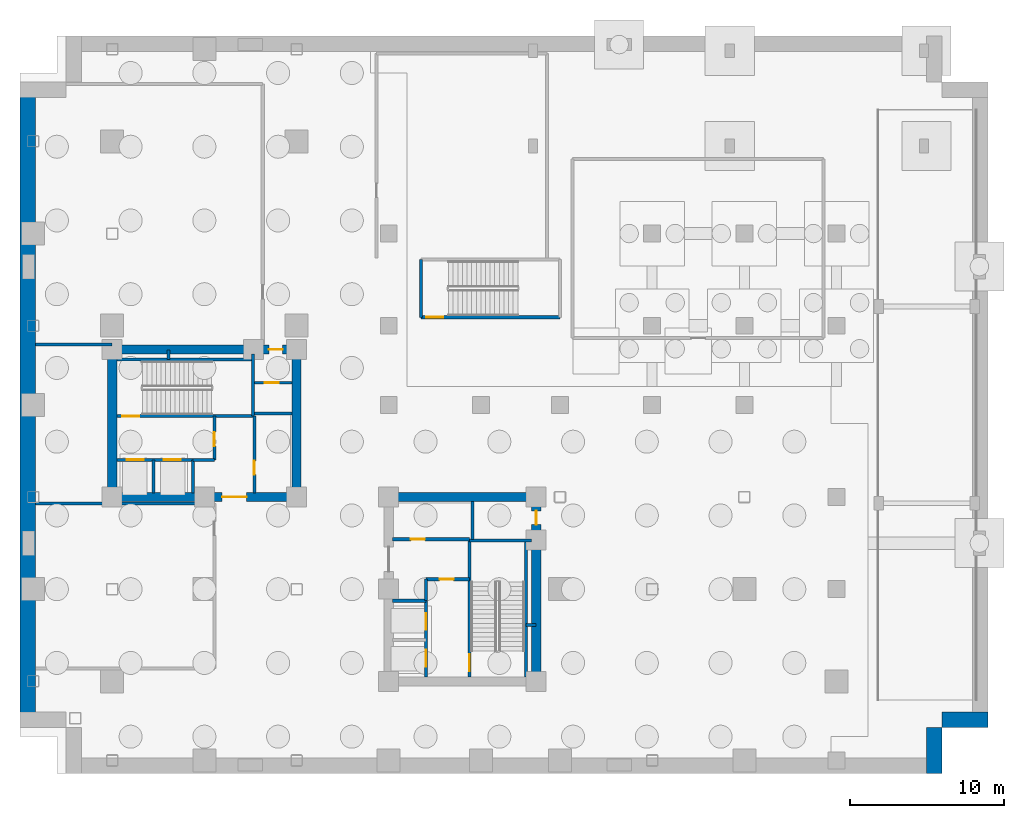
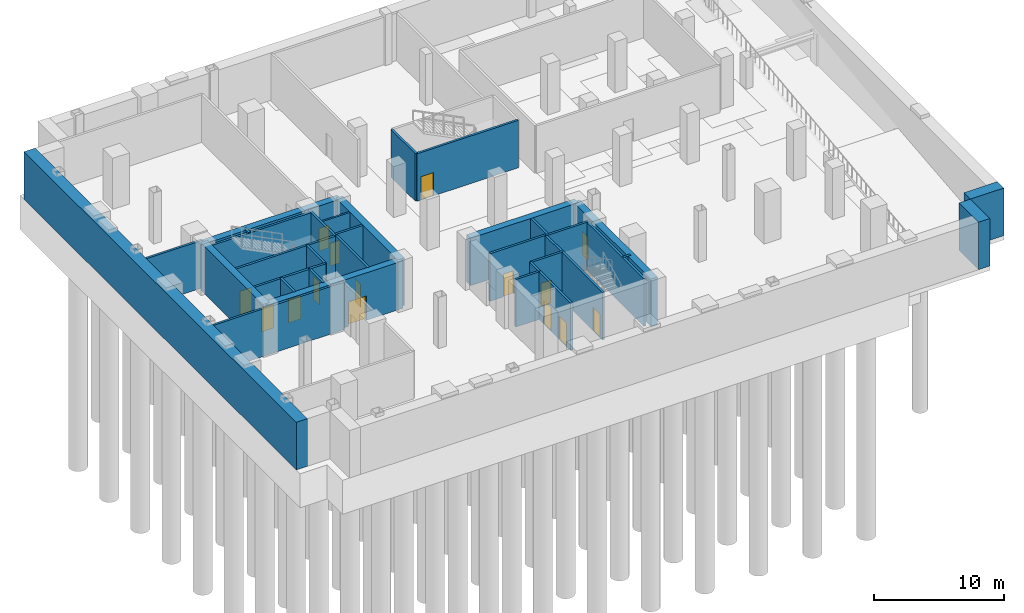
# One storey, part 3 of 7: 35 walls, 15 doors, 15 openings.
"""IFC4 building model written with IfcOpenShell, lengths in metres."""

import ifcopenshell
import ifcopenshell.guid

model = None  # the IFC model being written
_history = None  # IfcOwnerHistory: only IFC2X3 demands one
_inside = {}  # id of a spatial element -> (the spatial element, [elements in it])
_under = {}  # id of a project, library or spatial element -> (it, [spatial elements below it])
_declared = {}  # id of a project -> (the project, [libraries it declares])
_typed = {}  # id of a type object -> (the type object, [elements of that type])
_made_of = {}  # id of a material, layer set ... -> (it, [elements and type objects made of it])


def new_model(schema):
    """Start an empty IFC model of exactly this schema.

    Asked for "IFC4X3", IfcOpenShell would pick the latest addendum, in which some entities
    have other attributes; the version numbers below select the first issue.
    IFC2X3 requires an IfcOwnerHistory on every rooted entity: one is made here for all.
    """
    global model, _history
    if schema == "IFC4X3":
        model = ifcopenshell.file(schema_version=(4, 3, 0, 0))
    else:
        model = ifcopenshell.file(schema=schema)
    _inside.clear()
    _under.clear()
    _declared.clear()
    _typed.clear()
    _made_of.clear()
    _history = None
    if model.schema == "IFC2X3":
        org = make("IfcOrganization", Name="unknown")
        user = make(
            "IfcPersonAndOrganization",
            ThePerson=make("IfcPerson", FamilyName="unknown"),
            TheOrganization=org,
        )
        app = make(
            "IfcApplication",
            ApplicationDeveloper=org,
            Version="unknown",
            ApplicationFullName="unknown",
            ApplicationIdentifier="unknown",
        )
        _history = make(
            "IfcOwnerHistory",
            OwningUser=user,
            OwningApplication=app,
            ChangeAction="ADDED",
            CreationDate=0,
        )
    return model


def make(cls, **values):
    """One entity of the class cls with the attributes given. An attribute that is None is left unset."""
    return model.create_entity(
        cls, **{name: value for name, value in values.items() if value is not None}
    )


def rooted(cls, **values):
    """An entity with a GlobalId (a new one), such as an element, a storey or a relation."""
    return make(cls, GlobalId=ifcopenshell.guid.new(), OwnerHistory=_history, **values)


def si_unit(unit_type, name, prefix=None):
    """IfcSIUnit, for example si_unit("LENGTHUNIT", "METRE", prefix="MILLI")."""
    return make("IfcSIUnit", UnitType=unit_type, Prefix=prefix, Name=name)


def assignment(units):
    """IfcUnitAssignment: the units of a project."""
    return None if units is None else make("IfcUnitAssignment", Units=units)


def point(xyz):
    """IfcCartesianPoint."""
    return None if xyz is None else make("IfcCartesianPoint", Coordinates=xyz)


def direction(xyz):
    """IfcDirection."""
    return None if xyz is None else make("IfcDirection", DirectionRatios=xyz)


def frame(location, z_axis=None, x_axis=None):
    """IfcAxis2Placement3D, a coordinate frame: its origin and axes. An axis left out is left unset."""
    return make(
        "IfcAxis2Placement3D",
        Location=point(location),
        Axis=direction(z_axis),
        RefDirection=direction(x_axis),
    )


def frame_2d(location, x_axis=None):
    """IfcAxis2Placement2D, a coordinate frame in the plane: its origin and x axis."""
    return make(
        "IfcAxis2Placement2D", Location=point(location), RefDirection=direction(x_axis)
    )


def origin():
    """The frame at (0, 0, 0) with its axes left unset."""
    return frame((0.0, 0.0, 0.0))


def place(relative_to, where):
    """IfcLocalPlacement: puts the frame where relative to a parent placement (None: the world)."""
    return make(
        "IfcLocalPlacement", PlacementRelTo=relative_to, RelativePlacement=where
    )


def context(
    kind, dimensions, precision=None, world=None, true_north=None, identifier=None
):
    """IfcGeometricRepresentationContext, for example the 3D "Model" context."""
    return make(
        "IfcGeometricRepresentationContext",
        ContextIdentifier=identifier,
        ContextType=kind,
        CoordinateSpaceDimension=dimensions,
        Precision=precision,
        WorldCoordinateSystem=world,
        TrueNorth=true_north,
    )


def subcontext(parent, identifier, kind, view, scale=None):
    """IfcGeometricRepresentationSubContext, for example "Body" below "Model"."""
    return make(
        "IfcGeometricRepresentationSubContext",
        ContextIdentifier=identifier,
        ContextType=kind,
        ParentContext=parent,
        TargetScale=scale,
        TargetView=view,
    )


def project(units=None, contexts=None):
    """IfcProject with its units and contexts."""
    return rooted(
        "IfcProject",
        Name="project",
        RepresentationContexts=contexts,
        UnitsInContext=assignment(units),
    )


def spatial(cls, under=None, at=None, **own):
    """A site, building, storey or space (cls), placed at a placement, below another one or the project."""
    s = rooted(cls, ObjectPlacement=at, **own)
    if under is not None:
        _under.setdefault(under.id(), (under, []))[1].append(s)
    return s


def profile(cls, at=None, kind="AREA", **sizes):
    """A parametric profile (cls). Its sizes go by their IFC names, for example OverallWidth=200.0."""
    return make(cls, ProfileType=kind, Position=at, **sizes)


def rectangle(**sizes):
    """IfcRectangleProfileDef."""
    return profile("IfcRectangleProfileDef", **sizes)


def extrude(swept, where, along, depth):
    """IfcExtrudedAreaSolid: the profile swept, set in the frame where, extruded along a direction by depth."""
    return make(
        "IfcExtrudedAreaSolid",
        SweptArea=swept,
        Position=where,
        ExtrudedDirection=direction(along),
        Depth=depth,
    )


def shape(context_of_items, identifier, shape_type, items):
    """IfcShapeRepresentation: the items that make up one representation, for example the "Body"."""
    return make(
        "IfcShapeRepresentation",
        ContextOfItems=context_of_items,
        RepresentationIdentifier=identifier,
        RepresentationType=shape_type,
        Items=items,
    )


def material(Name=None, Category=None):
    """IfcMaterial."""
    return make("IfcMaterial", Name=Name, Category=Category)


def layer(
    of_material, thickness, ventilated=None, Name=None, Category=None, Priority=None
):
    """IfcMaterialLayer: one layer of a wall or slab, of a material (None: an air gap)."""
    return make(
        "IfcMaterialLayer",
        Material=of_material,
        LayerThickness=thickness,
        IsVentilated=ventilated,
        Name=Name,
        Category=Category,
        Priority=Priority,
    )


def layer_set(layers, Name=None):
    """IfcMaterialLayerSet."""
    return make("IfcMaterialLayerSet", MaterialLayers=layers, LayerSetName=Name)


def made_of(thing, what):
    """Note that an element or type object is made of a material, layer set ...; save() writes the relation."""
    if what is not None:
        _made_of.setdefault(what.id(), (what, []))[1].append(thing)
    return thing


def type_object(cls, material=None, **own):
    """A type object (cls), such as IfcWallType, which elements share."""
    return made_of(rooted(cls, **own), material)


def element(
    cls,
    number,
    at=None,
    inside=None,
    cuts=None,
    type_object=None,
    material=None,
    context=None,
    identifier="Body",
    shape_type=None,
    held_by="IfcProductDefinitionShape",
    body=None,
    shapes=None,
    **own,
):
    """One element of the class cls, such as IfcWall. Its Tag is "e" and its number.

    at: its placement. inside: the storey or other place that contains it. cuts: it is an
    opening in that element (IfcRelVoidsElement). A single representation is given by context,
    identifier, shape_type and body (its items); several are given by shapes. held_by: the class
    of the entity that holds the representations. save() writes the other relations.
    """
    e = rooted(cls, Tag="e%d" % number, ObjectPlacement=at, **own)
    if body is not None:
        shapes = [shape(context, identifier, shape_type, body)]
    if shapes is not None:
        e.Representation = make(held_by, Representations=shapes)
    if inside is not None:
        _inside.setdefault(inside.id(), (inside, []))[1].append(e)
    if cuts is not None:
        rooted(
            "IfcRelVoidsElement", RelatingBuildingElement=cuts, RelatedOpeningElement=e
        )
    if type_object is not None:
        _typed.setdefault(type_object.id(), (type_object, []))[1].append(e)
    return made_of(e, material)


def fill(opening, filler):
    """IfcRelFillsElement: the door or window that sits in an opening."""
    return rooted(
        "IfcRelFillsElement",
        RelatingOpeningElement=opening,
        RelatedBuildingElement=filler,
    )


def aggregate(whole, parts):
    """IfcRelAggregates: a whole, such as a stair, and the parts it consists of."""
    return rooted("IfcRelAggregates", RelatingObject=whole, RelatedObjects=parts)


def save(model, path):
    """Write the relations noted so far, then the file.

    IfcRelAggregates (storeys below a building ...), IfcRelContainedInSpatialStructure (elements
    in a storey), IfcRelDefinesByType, IfcRelAssociatesMaterial and IfcRelDeclares: one each for
    every whole, place, type object, material and project.
    """
    for whole, parts in _under.values():
        aggregate(whole, parts)
    for where, things in _inside.values():
        rooted(
            "IfcRelContainedInSpatialStructure",
            RelatedElements=things,
            RelatingStructure=where,
        )
    for kind, things in _typed.values():
        rooted("IfcRelDefinesByType", RelatedObjects=things, RelatingType=kind)
    for what, things in _made_of.values():
        rooted("IfcRelAssociatesMaterial", RelatedObjects=things, RelatingMaterial=what)
    for by, libraries in _declared.values():
        rooted("IfcRelDeclares", RelatingContext=by, RelatedDefinitions=libraries)
    model.write(path)


model = new_model("IFC4")

# Units and contexts
model_context = context("Model", 3, precision=1e-05, world=origin(), true_north=direction((0.0, 1.0)))
body_context = subcontext(model_context, "Body", "Model", "MODEL_VIEW")
ifc_project = project(units=[si_unit("LENGTHUNIT", "METRE"), si_unit("AREAUNIT", "SQUARE_METRE"), si_unit("VOLUMEUNIT", "CUBIC_METRE"), si_unit("PLANEANGLEUNIT", "RADIAN"), si_unit("MASSUNIT", "GRAM", prefix="KILO"), si_unit("THERMODYNAMICTEMPERATUREUNIT", "KELVIN"), si_unit("POWERUNIT", "WATT")], contexts=[model_context])

# Site, building, storey
site_placement = place(None, origin())
site = spatial("IfcSite", under=ifc_project, at=site_placement, CompositionType="ELEMENT")
building_placement = place(site_placement, origin())
building = spatial("IfcBuilding", under=site, at=building_placement, Name="Svarakhadi Broadcast Tower", CompositionType="ELEMENT")
storey_placement = place(building_placement, frame((0.0, 0.0, -9.60009765625)))
storey = spatial("IfcBuildingStorey", under=building, at=storey_placement, Name="B02", CompositionType="ELEMENT", Elevation=-9.60009765625)

# Walls
ifc_material_1 = material(Name="Concrete C45/55 (IS 456 M55 Marine)", Category="concrete")
ifc_layer_1 = layer(ifc_material_1, 1.0)
ifc_layer_set_1 = layer_set([ifc_layer_1], Name="Concrete C45/55 (IS 456 M55 Marine)")
wall_type_1 = type_object("IfcWallType", Name="Wall_Diaphragm_1000", PredefinedType="USERDEFINED", material=ifc_layer_set_1)
wall_1_placement = place(storey_placement, frame((0.5, 3.0, 0.0), z_axis=(0.0, 0.0, 1.0), x_axis=(0.0, 1.0, 0.0)))
element("IfcWall", 1, at=wall_1_placement, inside=storey, type_object=wall_type_1, Name="B02 Perimeter Slurry Diaphragm Retaining Wall 02", ObjectType="RETAININGWALL", PredefinedType="USERDEFINED", context=body_context, shape_type="SweptSolid", body=[
    extrude(rectangle(XDim=42.0, YDim=1.0, at=frame_2d((21.0, 0.0))), origin(), (0.0, 0.0, 1.0), 4.47509765625),
])
for number, where, z_axis, x_axis, name in (
    (2, (63.0, 3.5, 0.0), (0.0, 0.0, 1.0), (-1.0, 0.0, 0.0), "B02 Perimeter Slurry Diaphragm Retaining Wall 09"),
    (3, (59.5, 3.0, 0.0), (0.0, 0.0, 1.0), (0.0, -1.0, 0.0), "B02 Perimeter Slurry Diaphragm Retaining Wall 10"),
):
    element("IfcWall", number, at=place(storey_placement, frame(where, z_axis=z_axis, x_axis=x_axis)), inside=storey, type_object=wall_type_1, Name=name, ObjectType="RETAININGWALL", PredefinedType="USERDEFINED", context=body_context, shape_type="SweptSolid", body=[
        extrude(rectangle(XDim=3.0, YDim=1.0, at=frame_2d((1.5, 0.0))), origin(), (0.0, 0.0, 1.0), 4.47509765625),
    ])
ifc_material_2 = material(Name="Concrete C40/50 (IS 456 M50)", Category="concrete")
ifc_layer_2 = layer(ifc_material_2, 0.199951171875)
ifc_layer_set_2 = layer_set([ifc_layer_2], Name="Concrete C40/50 (IS 456 M50)")
wall_type_2 = type_object("IfcWallType", Name="Wall_Fire_200", PredefinedType="SOLIDWALL", material=ifc_layer_set_2)
for number, where, z_axis, x_axis, name in (
    (4, (9.659912109375, 26.93994140625, 0.0), (0.0, 0.0, 1.0), (0.0, 1.0, 0.0), "B02 Wet Riser Shaft East Wall"),
    (5, (32.93994140625, 9.659912109375, 0.0), (0.0, 0.0, 1.0), (1.0, 0.0, 0.0), "B02 HV Busduct Riser Shaft North Wall"),
):
    element("IfcWall", number, at=place(storey_placement, frame(where, z_axis=z_axis, x_axis=x_axis)), inside=storey, type_object=wall_type_2, Name=name, PredefinedType="SOLIDWALL", context=body_context, shape_type="SweptSolid", body=[
        extrude(rectangle(XDim=0.64013671875, YDim=0.199951171875, at=frame_2d((0.320068359375, 0.0))), origin(), (0.0, 0.0, 1.0), 4.47509765625),
    ])

# Wall, opening, door
wall_2_placement = place(storey_placement, frame((15.25, 18.25, 0.0), z_axis=(0.0, 0.0, 1.0), x_axis=(0.0, 1.0, 0.0)))
wall_2 = element("IfcWall", 6, at=wall_2_placement, inside=storey, type_object=wall_type_2, Name="B02 Bank C West Motor Room Wall", PredefinedType="SOLIDWALL", context=body_context, shape_type="SweptSolid", body=[
    extrude(rectangle(XDim=5.010009765625, YDim=0.199951171875, at=frame_2d((2.5048828125, 0.0))), origin(), (0.0, 0.0, 1.0), 4.47509765625),
])
opening_1_placement = place(wall_2_placement, frame((1.199951171875, 0.0, 0.0)))
opening_1 = element("IfcOpeningElement", 7, at=opening_1_placement, cuts=wall_2, Name="Opening D-04", PredefinedType="OPENING", context=body_context, shape_type="SweptSolid", body=[
    extrude(rectangle(XDim=0.89990234375, YDim=2.14990234375, at=frame_2d((0.449951171875, 1.074951171875))), frame((0.0, 0.10986328125, 0.0), z_axis=(0.0, -1.0, 0.0), x_axis=(1.0, 0.0, 0.0)), (0.0, 0.0, 1.0), 0.219970703125),
])
ifc_material_3 = material(Name="Galvanised Powder-Coated Fire-Rated Steel Leaf", Category="steel")
door_type_1 = type_object("IfcDoorType", Name="Door_Fire_D04", OperationType="SINGLE_SWING_RIGHT", PredefinedType="DOOR", material=ifc_material_3)
door_1_placement = place(opening_1_placement, origin())
door_1 = element("IfcDoor", 8, at=door_1_placement, inside=storey, type_object=door_type_1, Name="B02 Bank C West Motor Room Door", OperationType="SINGLE_SWING_RIGHT", OverallHeight=2.14990234375, OverallWidth=0.89990234375, PredefinedType="DOOR", context=body_context, shape_type="SweptSolid", body=[
    extrude(rectangle(XDim=0.89990234375, YDim=2.14990234375, at=frame_2d((0.449951171875, 1.074951171875))), frame((0.0, 0.02490234375, 0.0), z_axis=(0.0, -1.0, 0.0), x_axis=(1.0, 0.0, 0.0)), (0.0, 0.0, 1.0), 0.050048828125),
])
fill(opening_1, door_1)

# Wall
wall_3_placement = place(storey_placement, frame((15.25, 23.449951171875, 0.0), z_axis=(0.0, 0.0, 1.0), x_axis=(1.0, 0.0, 0.0)))
element("IfcWall", 9, at=wall_3_placement, inside=storey, type_object=wall_type_2, Name="B02 Bank C West Motor Room North Wall", PredefinedType="SOLIDWALL", context=body_context, shape_type="SweptSolid", body=[
    extrude(rectangle(XDim=2.449951171875, YDim=0.199951171875, at=frame_2d((1.22509765625, 0.0))), origin(), (0.0, 0.0, 1.0), 4.47509765625),
])

# Wall, opening, door
wall_4_placement = place(storey_placement, frame((24.25, 15.25, 0.0), z_axis=(0.0, 0.0, 1.0), x_axis=(1.0, 0.0, 0.0)))
wall_4 = element("IfcWall", 10, at=wall_4_placement, inside=storey, type_object=wall_type_2, Name="B02 Bank C East Motor Room Wall", PredefinedType="SOLIDWALL", context=body_context, shape_type="SweptSolid", body=[
    extrude(rectangle(XDim=5.010009765625, YDim=0.199951171875, at=frame_2d((2.5048828125, 0.0))), origin(), (0.0, 0.0, 1.0), 4.47509765625),
])
opening_2_placement = place(wall_4_placement, frame((1.199951171875, 0.0, 0.0)))
opening_2 = element("IfcOpeningElement", 11, at=opening_2_placement, cuts=wall_4, Name="Opening D-03", PredefinedType="OPENING", context=body_context, shape_type="SweptSolid", body=[
    extrude(rectangle(XDim=0.89990234375, YDim=2.14990234375, at=frame_2d((0.449951171875, 1.074951171875))), frame((0.0, 0.10986328125, 0.0), z_axis=(0.0, -1.0, 0.0), x_axis=(1.0, 0.0, 0.0)), (0.0, 0.0, 1.0), 0.219970703125),
])
door_type_2 = type_object("IfcDoorType", Name="Door_Fire_D03", OperationType="SINGLE_SWING_LEFT", PredefinedType="DOOR", material=ifc_material_3)
door_2_placement = place(opening_2_placement, origin())
door_2 = element("IfcDoor", 12, at=door_2_placement, inside=storey, type_object=door_type_2, Name="B02 Bank C East Motor Room Door", OperationType="SINGLE_SWING_LEFT", OverallHeight=2.14990234375, OverallWidth=0.89990234375, PredefinedType="DOOR", context=body_context, shape_type="SweptSolid", body=[
    extrude(rectangle(XDim=0.89990234375, YDim=2.14990234375, at=frame_2d((0.449951171875, 1.074951171875))), frame((0.0, 0.02490234375, 0.0), z_axis=(0.0, -1.0, 0.0), x_axis=(1.0, 0.0, 0.0)), (0.0, 0.0, 1.0), 0.050048828125),
])
fill(opening_2, door_2)

# Walls
wall_5_placement = place(storey_placement, frame((29.449951171875, 15.25, 0.0), z_axis=(0.0, 0.0, 1.0), x_axis=(0.0, 1.0, 0.0)))
element("IfcWall", 13, at=wall_5_placement, inside=storey, type_object=wall_type_2, Name="B02 Bank C East Motor Room East Wall", PredefinedType="SOLIDWALL", context=body_context, shape_type="SweptSolid", body=[
    extrude(rectangle(XDim=2.449951171875, YDim=0.199951171875, at=frame_2d((1.22509765625, 0.0))), origin(), (0.0, 0.0, 1.0), 4.47509765625),
])
wall_6_placement = place(storey_placement, frame((1.02001953125, 27.919921875, 0.0), z_axis=(0.0, 0.0, 1.0), x_axis=(1.0, 0.0, 0.0)))
element("IfcWall", 14, at=wall_6_placement, inside=storey, type_object=wall_type_2, Name="B02 High-Voltage Substation Plant Room Wall", PredefinedType="SOLIDWALL", context=body_context, shape_type="SweptSolid", body=[
    extrude(rectangle(XDim=4.97998046875, YDim=0.199951171875, at=frame_2d((2.489990234375, 0.0))), origin(), (0.0, 0.0, 1.0), 4.47509765625),
])
wall_7_placement = place(storey_placement, frame((1.02001953125, 17.580078125, 0.0), z_axis=(0.0, 0.0, 1.0), x_axis=(1.0, 0.0, 0.0)))
element("IfcWall", 15, at=wall_7_placement, inside=storey, type_object=wall_type_2, Name="B02 Fire Water Storage Tank Plant Room Wall", PredefinedType="SOLIDWALL", context=body_context, shape_type="SweptSolid", body=[
    extrude(rectangle(XDim=11.6298828125, YDim=0.199951171875, at=frame_2d((5.81494140625, 0.0))), origin(), (0.0, 0.0, 1.0), 4.47509765625),
])

# Wall, opening, door
ifc_material_4 = material(Name="Autoclaved Aerated Concrete Blockwork 150 mm", Category="masonry")
ifc_layer_3 = layer(ifc_material_4, 0.14990234375)
ifc_layer_set_3 = layer_set([ifc_layer_3], Name="Autoclaved Aerated Concrete Blockwork 150 mm")
wall_type_3 = type_object("IfcWallType", Name="Wall_Part_150", PredefinedType="PARTITIONING", material=ifc_layer_set_3)
wall_8_placement = place(storey_placement, frame((15.280029296875, 25.43994140625, 0.0), z_axis=(0.0, 0.0, 1.0), x_axis=(1.0, 0.0, 0.0)))
wall_8 = element("IfcWall", 16, at=wall_8_placement, inside=storey, type_object=wall_type_3, Name="B02 West Core Service Split Wall", PredefinedType="PARTITIONING", context=body_context, shape_type="SweptSolid", body=[
    extrude(rectangle(XDim=2.419921875, YDim=0.14990234375, at=frame_2d((1.2099609375, 0.0))), origin(), (0.0, 0.0, 1.0), 4.47509765625),
])
opening_3_placement = place(wall_8_placement, frame((0.64990234375, 0.0, 0.0)))
opening_3 = element("IfcOpeningElement", 17, at=opening_3_placement, cuts=wall_8, Name="Opening D-04", PredefinedType="OPENING", context=body_context, shape_type="SweptSolid", body=[
    extrude(rectangle(XDim=0.89990234375, YDim=2.14990234375, at=frame_2d((0.449951171875, 1.074951171875))), frame((0.0, 0.0849609375, 0.0), z_axis=(0.0, -1.0, 0.0), x_axis=(1.0, 0.0, 0.0)), (0.0, 0.0, 1.0), 0.169921875),
])
door_3_placement = place(opening_3_placement, origin())
door_3 = element("IfcDoor", 18, at=door_3_placement, inside=storey, type_object=door_type_1, Name="B02 West Core Inner Store Door", OperationType="SINGLE_SWING_RIGHT", OverallHeight=2.14990234375, OverallWidth=0.89990234375, PredefinedType="DOOR", context=body_context, shape_type="SweptSolid", body=[
    extrude(rectangle(XDim=0.89990234375, YDim=2.14990234375, at=frame_2d((0.449951171875, 1.074951171875))), frame((0.0, 0.02490234375, 0.0), z_axis=(0.0, -1.0, 0.0), x_axis=(1.0, 0.0, 0.0)), (0.0, 0.0, 1.0), 0.050048828125),
])
fill(opening_3, door_3)

ifc_material_5 = material(Name="Concrete C50/60 (IS 456 M60)", Category="concrete")
ifc_layer_4 = layer(ifc_material_5, 0.199951171875)
ifc_layer_set_4 = layer_set([ifc_layer_4], Name="Concrete C50/60 (IS 456 M60)")
wall_type_4 = type_object("IfcWallType", Name="Wall_Shear_200", PredefinedType="SHEAR", material=ifc_layer_set_4)
wall_9_placement = place(storey_placement, frame((6.300048828125, 23.260009765625, 0.0), z_axis=(0.0, 0.0, 1.0), x_axis=(1.0, 0.0, 0.0)))
wall_9 = element("IfcWall", 19, at=wall_9_placement, inside=storey, type_object=wall_type_4, Name="B02 Stair ST-01 South RC Shaft Wall", PredefinedType="SHEAR", context=body_context, shape_type="SweptSolid", body=[
    extrude(rectangle(XDim=8.8798828125, YDim=0.199951171875, at=frame_2d((4.43994140625, 0.0))), origin(), (0.0, 0.0, 1.0), 4.47509765625),
])
opening_4_placement = place(wall_9_placement, frame((0.35009765625, 0.0, 0.0)))
opening_4 = element("IfcOpeningElement", 20, at=opening_4_placement, cuts=wall_9, Name="Opening D-01", PredefinedType="OPENING", context=body_context, shape_type="SweptSolid", body=[
    extrude(rectangle(XDim=1.10009765625, YDim=2.199951171875, at=frame_2d((0.550048828125, 1.10009765625))), frame((0.0, 0.10986328125, 0.0), z_axis=(0.0, -1.0, 0.0), x_axis=(1.0, 0.0, 0.0)), (0.0, 0.0, 1.0), 0.219970703125),
])
door_type_3 = type_object("IfcDoorType", Name="Door_Stair_D01", OperationType="SINGLE_SWING_LEFT", PredefinedType="DOOR", material=ifc_material_3)
door_4_placement = place(opening_4_placement, origin())
door_4 = element("IfcDoor", 21, at=door_4_placement, inside=storey, type_object=door_type_3, Name="B02 Protected Exit Stair ST-01 Fire Door", OperationType="SINGLE_SWING_LEFT", OverallHeight=2.199951171875, OverallWidth=1.10009765625, PredefinedType="DOOR", context=body_context, shape_type="SweptSolid", body=[
    extrude(rectangle(XDim=1.10009765625, YDim=2.199951171875, at=frame_2d((0.550048828125, 1.10009765625))), frame((0.0, 0.02490234375, 0.0), z_axis=(0.0, -1.0, 0.0), x_axis=(1.0, 0.0, 0.0)), (0.0, 0.0, 1.0), 0.050048828125),
])
fill(opening_4, door_4)

# Walls
wall_10_placement = place(storey_placement, frame((6.300048828125, 26.93994140625, 0.0), z_axis=(0.0, 0.0, 1.0), x_axis=(1.0, 0.0, 0.0)))
element("IfcWall", 22, at=wall_10_placement, inside=storey, type_object=wall_type_4, Name="B02 Stair ST-01 North RC Shaft Wall", PredefinedType="SHEAR", context=body_context, shape_type="SweptSolid", body=[
    extrude(rectangle(XDim=8.8798828125, YDim=0.199951171875, at=frame_2d((4.43994140625, 0.0))), origin(), (0.0, 0.0, 1.0), 4.47509765625),
])
wall_11_placement = place(storey_placement, frame((15.179931640625, 23.260009765625, 0.0), z_axis=(0.0, 0.0, 1.0), x_axis=(0.0, 1.0, 0.0)))
element("IfcWall", 23, at=wall_11_placement, inside=storey, type_object=wall_type_4, Name="B02 Stair ST-01 East RC Shaft Wall", PredefinedType="SHEAR", context=body_context, shape_type="SweptSolid", body=[
    extrude(rectangle(XDim=4.0400390625, YDim=0.199951171875, at=frame_2d((2.02001953125, 0.0))), origin(), (0.0, 0.0, 1.0), 4.47509765625),
])

# Wall, opening, door
wall_12_placement = place(storey_placement, frame((29.260009765625, 6.300048828125, 0.0), z_axis=(0.0, 0.0, 1.0), x_axis=(0.0, 1.0, 0.0)))
wall_12 = element("IfcWall", 24, at=wall_12_placement, inside=storey, type_object=wall_type_4, Name="B02 Stair ST-02 West RC Shaft Wall", PredefinedType="SHEAR", context=body_context, shape_type="SweptSolid", body=[
    extrude(rectangle(XDim=8.8798828125, YDim=0.199951171875, at=frame_2d((4.43994140625, 0.0))), origin(), (0.0, 0.0, 1.0), 4.47509765625),
])
opening_5_placement = place(wall_12_placement, frame((0.35009765625, 0.0, 0.0)))
opening_5 = element("IfcOpeningElement", 25, at=opening_5_placement, cuts=wall_12, Name="Opening D-02", PredefinedType="OPENING", context=body_context, shape_type="SweptSolid", body=[
    extrude(rectangle(XDim=1.10009765625, YDim=2.199951171875, at=frame_2d((0.550048828125, 1.10009765625))), frame((0.0, 0.10986328125, 0.0), z_axis=(0.0, -1.0, 0.0), x_axis=(1.0, 0.0, 0.0)), (0.0, 0.0, 1.0), 0.219970703125),
])
door_type_4 = type_object("IfcDoorType", Name="Door_Stair_D02", OperationType="SINGLE_SWING_RIGHT", PredefinedType="DOOR", material=ifc_material_3)
door_5_placement = place(opening_5_placement, origin())
door_5 = element("IfcDoor", 26, at=door_5_placement, inside=storey, type_object=door_type_4, Name="B02 Protected Exit Stair ST-02 Fire Door", OperationType="SINGLE_SWING_RIGHT", OverallHeight=2.199951171875, OverallWidth=1.10009765625, PredefinedType="DOOR", context=body_context, shape_type="SweptSolid", body=[
    extrude(rectangle(XDim=1.10009765625, YDim=2.199951171875, at=frame_2d((0.550048828125, 1.10009765625))), frame((0.0, 0.02490234375, 0.0), z_axis=(0.0, -1.0, 0.0), x_axis=(1.0, 0.0, 0.0)), (0.0, 0.0, 1.0), 0.050048828125),
])
fill(opening_5, door_5)

# Walls
wall_13_placement = place(storey_placement, frame((32.93994140625, 6.300048828125, 0.0), z_axis=(0.0, 0.0, 1.0), x_axis=(0.0, 1.0, 0.0)))
element("IfcWall", 27, at=wall_13_placement, inside=storey, type_object=wall_type_4, Name="B02 Stair ST-02 East RC Shaft Wall", PredefinedType="SHEAR", context=body_context, shape_type="SweptSolid", body=[
    extrude(rectangle(XDim=8.8798828125, YDim=0.199951171875, at=frame_2d((4.43994140625, 0.0))), origin(), (0.0, 0.0, 1.0), 4.47509765625),
])
wall_14_placement = place(storey_placement, frame((29.260009765625, 15.179931640625, 0.0), z_axis=(0.0, 0.0, 1.0), x_axis=(1.0, 0.0, 0.0)))
element("IfcWall", 28, at=wall_14_placement, inside=storey, type_object=wall_type_4, Name="B02 Stair ST-02 North RC Shaft Wall", PredefinedType="SHEAR", context=body_context, shape_type="SweptSolid", body=[
    extrude(rectangle(XDim=4.0400390625, YDim=0.199951171875, at=frame_2d((2.02001953125, 0.0))), origin(), (0.0, 0.0, 1.0), 4.47509765625),
])

# Wall, openings, doors
wall_15_placement = place(storey_placement, frame((6.300048828125, 20.419921875, 0.0), z_axis=(0.0, 0.0, 1.0), x_axis=(1.0, 0.0, 0.0)))
wall_15 = element("IfcWall", 29, at=wall_15_placement, inside=storey, type_object=wall_type_4, Name="B02 Firefighting Lift LF-01/02 Shaft Wall", PredefinedType="SHEAR", context=body_context, shape_type="SweptSolid", body=[
    extrude(rectangle(XDim=4.949951171875, YDim=0.199951171875, at=frame_2d((2.47509765625, 0.0))), origin(), (0.0, 0.0, 1.0), 4.47509765625),
])
opening_6_placement = place(wall_15_placement, frame((0.64990234375, 0.0, 0.0)))
opening_6 = element("IfcOpeningElement", 30, at=opening_6_placement, cuts=wall_15, Name="Opening LD-01", PredefinedType="OPENING", context=body_context, shape_type="SweptSolid", body=[
    extrude(rectangle(XDim=1.10009765625, YDim=2.199951171875, at=frame_2d((0.550048828125, 1.10009765625))), frame((0.0, 0.10986328125, 0.0), z_axis=(0.0, -1.0, 0.0), x_axis=(1.0, 0.0, 0.0)), (0.0, 0.0, 1.0), 0.219970703125),
])
opening_7_placement = place(wall_15_placement, frame((3.050048828125, 0.0, 0.0)))
opening_7 = element("IfcOpeningElement", 31, at=opening_7_placement, cuts=wall_15, Name="Opening LD-01", PredefinedType="OPENING", context=body_context, shape_type="SweptSolid", body=[
    extrude(rectangle(XDim=1.10009765625, YDim=2.199951171875, at=frame_2d((0.550048828125, 1.10009765625))), frame((0.0, 0.10986328125, 0.0), z_axis=(0.0, -1.0, 0.0), x_axis=(1.0, 0.0, 0.0)), (0.0, 0.0, 1.0), 0.219970703125),
])
door_type_5 = type_object("IfcDoorType", Name="Door_Lift_LD01", OperationType="SLIDING_TO_LEFT", PredefinedType="DOOR", material=ifc_material_3)
door_6_placement = place(opening_6_placement, origin())
door_6 = element("IfcDoor", 32, at=door_6_placement, inside=storey, type_object=door_type_5, Name="B02 Firefighting Lift LF-01 Landing Door", OperationType="SLIDING_TO_LEFT", OverallHeight=2.199951171875, OverallWidth=1.10009765625, PredefinedType="DOOR", context=body_context, shape_type="SweptSolid", body=[
    extrude(rectangle(XDim=1.10009765625, YDim=2.199951171875, at=frame_2d((0.550048828125, 1.10009765625))), frame((0.0, 0.02490234375, 0.0), z_axis=(0.0, -1.0, 0.0), x_axis=(1.0, 0.0, 0.0)), (0.0, 0.0, 1.0), 0.050048828125),
])
fill(opening_6, door_6)
door_7_placement = place(opening_7_placement, origin())
door_7 = element("IfcDoor", 33, at=door_7_placement, inside=storey, type_object=door_type_5, Name="B02 Firefighting Lift LF-02 Landing Door", OperationType="SLIDING_TO_LEFT", OverallHeight=2.199951171875, OverallWidth=1.10009765625, PredefinedType="DOOR", context=body_context, shape_type="SweptSolid", body=[
    extrude(rectangle(XDim=1.10009765625, YDim=2.199951171875, at=frame_2d((0.550048828125, 1.10009765625))), frame((0.0, 0.02490234375, 0.0), z_axis=(0.0, -1.0, 0.0), x_axis=(1.0, 0.0, 0.0)), (0.0, 0.0, 1.0), 0.050048828125),
])
fill(opening_7, door_7)

# Walls
for number, where, z_axis, x_axis, name in (
    (34, (8.699951171875, 18.25, 0.0), (0.0, 0.0, 1.0), (0.0, 1.0, 0.0), "B02 Firefighting Lift LF-01/02 Divider Wall"),
    (35, (11.25, 18.25, 0.0), (0.0, 0.0, 1.0), (0.0, 1.0, 0.0), "B02 Firefighting Lift LF-02 East Wall"),
):
    element("IfcWall", number, at=place(storey_placement, frame(where, z_axis=z_axis, x_axis=x_axis)), inside=storey, type_object=wall_type_4, Name=name, PredefinedType="SHEAR", context=body_context, shape_type="SweptSolid", body=[
        extrude(rectangle(XDim=2.169921875, YDim=0.199951171875, at=frame_2d((1.0849609375, 0.0))), origin(), (0.0, 0.0, 1.0), 4.47509765625),
    ])
wall_16_placement = place(storey_placement, frame((11.25, 20.419921875, 0.0), z_axis=(0.0, 0.0, 1.0), x_axis=(1.0, 0.0, 0.0)))
element("IfcWall", 36, at=wall_16_placement, inside=storey, type_object=wall_type_4, Name="B02 West Firefighting Lobby South Wall", PredefinedType="SHEAR", context=body_context, shape_type="SweptSolid", body=[
    extrude(rectangle(XDim=1.39990234375, YDim=0.199951171875, at=frame_2d((0.699951171875, 0.0))), origin(), (0.0, 0.0, 1.0), 4.47509765625),
])

# Wall, opening, door
wall_17_placement = place(storey_placement, frame((12.64990234375, 20.419921875, 0.0), z_axis=(0.0, 0.0, 1.0), x_axis=(0.0, 1.0, 0.0)))
wall_17 = element("IfcWall", 37, at=wall_17_placement, inside=storey, type_object=wall_type_4, Name="B02 West Firefighting Lobby East Wall", PredefinedType="SHEAR", context=body_context, shape_type="SweptSolid", body=[
    extrude(rectangle(XDim=2.840087890625, YDim=0.199951171875, at=frame_2d((1.419921875, 0.0))), origin(), (0.0, 0.0, 1.0), 4.47509765625),
])
opening_8_placement = place(wall_17_placement, frame((0.89990234375, 0.0, 0.0)))
opening_8 = element("IfcOpeningElement", 38, at=opening_8_placement, cuts=wall_17, Name="Opening D-04", PredefinedType="OPENING", context=body_context, shape_type="SweptSolid", body=[
    extrude(rectangle(XDim=0.89990234375, YDim=2.14990234375, at=frame_2d((0.449951171875, 1.074951171875))), frame((0.0, 0.10986328125, 0.0), z_axis=(0.0, -1.0, 0.0), x_axis=(1.0, 0.0, 0.0)), (0.0, 0.0, 1.0), 0.219970703125),
])
door_8_placement = place(opening_8_placement, origin())
door_8 = element("IfcDoor", 39, at=door_8_placement, inside=storey, type_object=door_type_1, Name="B02 West Firefighting Lobby Fire Door", OperationType="SINGLE_SWING_RIGHT", OverallHeight=2.14990234375, OverallWidth=0.89990234375, PredefinedType="DOOR", context=body_context, shape_type="SweptSolid", body=[
    extrude(rectangle(XDim=0.89990234375, YDim=2.14990234375, at=frame_2d((0.449951171875, 1.074951171875))), frame((0.0, 0.02490234375, 0.0), z_axis=(0.0, -1.0, 0.0), x_axis=(1.0, 0.0, 0.0)), (0.0, 0.0, 1.0), 0.050048828125),
])
fill(opening_8, door_8)

# Wall, openings, doors
wall_18_placement = place(storey_placement, frame((26.419921875, 6.300048828125, 0.0), z_axis=(0.0, 0.0, 1.0), x_axis=(0.0, 1.0, 0.0)))
wall_18 = element("IfcWall", 40, at=wall_18_placement, inside=storey, type_object=wall_type_4, Name="B02 Firefighting Lift LF-03/04 Shaft Wall", PredefinedType="SHEAR", context=body_context, shape_type="SweptSolid", body=[
    extrude(rectangle(XDim=4.949951171875, YDim=0.199951171875, at=frame_2d((2.47509765625, 0.0))), origin(), (0.0, 0.0, 1.0), 4.47509765625),
])
opening_9_placement = place(wall_18_placement, frame((0.64990234375, 0.0, 0.0)))
opening_9 = element("IfcOpeningElement", 41, at=opening_9_placement, cuts=wall_18, Name="Opening LD-01", PredefinedType="OPENING", context=body_context, shape_type="SweptSolid", body=[
    extrude(rectangle(XDim=1.10009765625, YDim=2.199951171875, at=frame_2d((0.550048828125, 1.10009765625))), frame((0.0, 0.10986328125, 0.0), z_axis=(0.0, -1.0, 0.0), x_axis=(1.0, 0.0, 0.0)), (0.0, 0.0, 1.0), 0.219970703125),
])
opening_10_placement = place(wall_18_placement, frame((3.050048828125, 0.0, 0.0)))
opening_10 = element("IfcOpeningElement", 42, at=opening_10_placement, cuts=wall_18, Name="Opening LD-01", PredefinedType="OPENING", context=body_context, shape_type="SweptSolid", body=[
    extrude(rectangle(XDim=1.10009765625, YDim=2.199951171875, at=frame_2d((0.550048828125, 1.10009765625))), frame((0.0, 0.10986328125, 0.0), z_axis=(0.0, -1.0, 0.0), x_axis=(1.0, 0.0, 0.0)), (0.0, 0.0, 1.0), 0.219970703125),
])
door_9_placement = place(opening_9_placement, origin())
door_9 = element("IfcDoor", 43, at=door_9_placement, inside=storey, type_object=door_type_5, Name="B02 Firefighting Lift LF-03 Landing Door", OperationType="SLIDING_TO_LEFT", OverallHeight=2.199951171875, OverallWidth=1.10009765625, PredefinedType="DOOR", context=body_context, shape_type="SweptSolid", body=[
    extrude(rectangle(XDim=1.10009765625, YDim=2.199951171875, at=frame_2d((0.550048828125, 1.10009765625))), frame((0.0, 0.02490234375, 0.0), z_axis=(0.0, -1.0, 0.0), x_axis=(1.0, 0.0, 0.0)), (0.0, 0.0, 1.0), 0.050048828125),
])
fill(opening_9, door_9)
door_10_placement = place(opening_10_placement, origin())
door_10 = element("IfcDoor", 44, at=door_10_placement, inside=storey, type_object=door_type_5, Name="B02 Firefighting Lift LF-04 Landing Door", OperationType="SLIDING_TO_LEFT", OverallHeight=2.199951171875, OverallWidth=1.10009765625, PredefinedType="DOOR", context=body_context, shape_type="SweptSolid", body=[
    extrude(rectangle(XDim=1.10009765625, YDim=2.199951171875, at=frame_2d((0.550048828125, 1.10009765625))), frame((0.0, 0.02490234375, 0.0), z_axis=(0.0, -1.0, 0.0), x_axis=(1.0, 0.0, 0.0)), (0.0, 0.0, 1.0), 0.050048828125),
])
fill(opening_10, door_10)

# Walls
wall_19_placement = place(storey_placement, frame((24.25, 11.25, 0.0), z_axis=(0.0, 0.0, 1.0), x_axis=(1.0, 0.0, 0.0)))
element("IfcWall", 45, at=wall_19_placement, inside=storey, type_object=wall_type_4, Name="B02 Firefighting Lift LF-04 North Wall", PredefinedType="SHEAR", context=body_context, shape_type="SweptSolid", body=[
    extrude(rectangle(XDim=2.169921875, YDim=0.199951171875, at=frame_2d((1.0849609375, 0.0))), origin(), (0.0, 0.0, 1.0), 4.47509765625),
])
wall_20_placement = place(storey_placement, frame((26.419921875, 11.25, 0.0), z_axis=(0.0, 0.0, 1.0), x_axis=(0.0, 1.0, 0.0)))
element("IfcWall", 46, at=wall_20_placement, inside=storey, type_object=wall_type_4, Name="B02 East Firefighting Lobby West Wall", PredefinedType="SHEAR", context=body_context, shape_type="SweptSolid", body=[
    extrude(rectangle(XDim=1.39990234375, YDim=0.199951171875, at=frame_2d((0.699951171875, 0.0))), origin(), (0.0, 0.0, 1.0), 4.47509765625),
])

# Wall, opening, door
wall_21_placement = place(storey_placement, frame((26.419921875, 12.64990234375, 0.0), z_axis=(0.0, 0.0, 1.0), x_axis=(1.0, 0.0, 0.0)))
wall_21 = element("IfcWall", 47, at=wall_21_placement, inside=storey, type_object=wall_type_4, Name="B02 East Firefighting Lobby North Wall", PredefinedType="SHEAR", context=body_context, shape_type="SweptSolid", body=[
    extrude(rectangle(XDim=2.840087890625, YDim=0.199951171875, at=frame_2d((1.419921875, 0.0))), origin(), (0.0, 0.0, 1.0), 4.47509765625),
])
opening_11_placement = place(wall_21_placement, frame((0.89990234375, 0.0, 0.0)))
opening_11 = element("IfcOpeningElement", 48, at=opening_11_placement, cuts=wall_21, Name="Opening D-03", PredefinedType="OPENING", context=body_context, shape_type="SweptSolid", body=[
    extrude(rectangle(XDim=0.89990234375, YDim=2.14990234375, at=frame_2d((0.449951171875, 1.074951171875))), frame((0.0, 0.10986328125, 0.0), z_axis=(0.0, -1.0, 0.0), x_axis=(1.0, 0.0, 0.0)), (0.0, 0.0, 1.0), 0.219970703125),
])
door_11_placement = place(opening_11_placement, origin())
door_11 = element("IfcDoor", 49, at=door_11_placement, inside=storey, type_object=door_type_2, Name="B02 East Firefighting Lobby Fire Door", OperationType="SINGLE_SWING_LEFT", OverallHeight=2.14990234375, OverallWidth=0.89990234375, PredefinedType="DOOR", context=body_context, shape_type="SweptSolid", body=[
    extrude(rectangle(XDim=0.89990234375, YDim=2.14990234375, at=frame_2d((0.449951171875, 1.074951171875))), frame((0.0, 0.02490234375, 0.0), z_axis=(0.0, -1.0, 0.0), x_axis=(1.0, 0.0, 0.0)), (0.0, 0.0, 1.0), 0.050048828125),
])
fill(opening_11, door_11)

wall_22_placement = place(storey_placement, frame((26.10009765625, 29.699951171875, 0.0), z_axis=(0.0, 0.0, 1.0), x_axis=(1.0, 0.0, 0.0)))
wall_22 = element("IfcWall", 50, at=wall_22_placement, inside=storey, type_object=wall_type_4, Name="B02 Stair ST-03 South RC Shaft Wall", PredefinedType="SHEAR", context=body_context, shape_type="SweptSolid", body=[
    extrude(rectangle(XDim=9.0498046875, YDim=0.199951171875, at=frame_2d((4.52490234375, 0.0))), origin(), (0.0, 0.0, 1.0), 4.47509765625),
])
opening_12_placement = place(wall_22_placement, frame((0.35009765625, 0.0, 0.0)))
opening_12 = element("IfcOpeningElement", 51, at=opening_12_placement, cuts=wall_22, Name="Opening D-01", PredefinedType="OPENING", context=body_context, shape_type="SweptSolid", body=[
    extrude(rectangle(XDim=1.10009765625, YDim=2.199951171875, at=frame_2d((0.550048828125, 1.10009765625))), frame((0.0, 0.10986328125, 0.0), z_axis=(0.0, -1.0, 0.0), x_axis=(1.0, 0.0, 0.0)), (0.0, 0.0, 1.0), 0.219970703125),
])
door_12_placement = place(opening_12_placement, origin())
door_12 = element("IfcDoor", 52, at=door_12_placement, inside=storey, type_object=door_type_3, Name="B02 Podium Stair ST-03 Fire Door", OperationType="SINGLE_SWING_LEFT", OverallHeight=2.199951171875, OverallWidth=1.10009765625, PredefinedType="DOOR", context=body_context, shape_type="SweptSolid", body=[
    extrude(rectangle(XDim=1.10009765625, YDim=2.199951171875, at=frame_2d((0.550048828125, 1.10009765625))), frame((0.0, 0.02490234375, 0.0), z_axis=(0.0, -1.0, 0.0), x_axis=(1.0, 0.0, 0.0)), (0.0, 0.0, 1.0), 0.050048828125),
])
fill(opening_12, door_12)

# Wall
wall_23_placement = place(storey_placement, frame((26.10009765625, 29.699951171875, 0.0), z_axis=(0.0, 0.0, 1.0), x_axis=(0.0, 1.0, 0.0)))
element("IfcWall", 53, at=wall_23_placement, inside=storey, type_object=wall_type_4, Name="B02 Stair ST-03 West RC Shaft Wall", PredefinedType="SHEAR", context=body_context, shape_type="SweptSolid", body=[
    extrude(rectangle(XDim=3.760009765625, YDim=0.199951171875, at=frame_2d((1.8798828125, 0.0))), origin(), (0.0, 0.0, 1.0), 4.47509765625),
])

# Wall, opening, door
ifc_material_6 = material(Name="Concrete C60/75 (IS 456 M70)", Category="concrete")
ifc_layer_5 = layer(ifc_material_6, 0.60009765625)
ifc_layer_set_5 = layer_set([ifc_layer_5], Name="Concrete C60/75 (IS 456 M70)")
wall_type_5 = type_object("IfcWallType", Name="Wall_Shear_600", PredefinedType="SHEAR", material=ifc_layer_set_5)
wall_24_placement = place(storey_placement, frame((6.0, 18.0, 0.0), z_axis=(0.0, 0.0, 1.0), x_axis=(1.0, 0.0, 0.0)))
wall_24 = element("IfcWall", 54, at=wall_24_placement, inside=storey, type_object=wall_type_5, Name="B02 West Core South Shear Wall", PredefinedType="SHEAR", context=body_context, shape_type="SweptSolid", body=[
    extrude(rectangle(XDim=12.0, YDim=0.60009765625, at=frame_2d((6.0, 0.0))), origin(), (0.0, 0.0, 1.0), 4.47509765625),
])
opening_13_placement = place(wall_24_placement, frame((7.14990234375, 0.0, 0.0)))
opening_13 = element("IfcOpeningElement", 55, at=opening_13_placement, cuts=wall_24, Name="Opening D-05", PredefinedType="OPENING", context=body_context, shape_type="SweptSolid", body=[
    extrude(rectangle(XDim=1.60009765625, YDim=2.300048828125, at=frame_2d((0.800048828125, 1.14990234375))), frame((0.0, 0.31005859375, 0.0), z_axis=(0.0, -1.0, 0.0), x_axis=(1.0, 0.0, 0.0)), (0.0, 0.0, 1.0), 0.6201171875),
])
ifc_material_7 = material(Name="Anodised Bronze Aluminium AA 6063-T6", Category="aluminium")
door_type_6 = type_object("IfcDoorType", Name="Door_Lobby_D05", OperationType="DOUBLE_DOOR_SLIDING", PredefinedType="DOOR", material=ifc_material_7)
door_13_placement = place(opening_13_placement, origin())
door_13 = element("IfcDoor", 56, at=door_13_placement, inside=storey, type_object=door_type_6, Name="B02 West Core Passenger Lift Lobby Entrance Door", OperationType="DOUBLE_DOOR_SLIDING", OverallHeight=2.300048828125, OverallWidth=1.60009765625, PredefinedType="DOOR", context=body_context, shape_type="SweptSolid", body=[
    extrude(rectangle(XDim=1.60009765625, YDim=2.300048828125, at=frame_2d((0.800048828125, 1.14990234375))), frame((0.0, 0.02490234375, 0.0), z_axis=(0.0, -1.0, 0.0), x_axis=(1.0, 0.0, 0.0)), (0.0, 0.0, 1.0), 0.050048828125),
])
fill(opening_13, door_13)

wall_25_placement = place(storey_placement, frame((6.0, 27.60009765625, 0.0), z_axis=(0.0, 0.0, 1.0), x_axis=(1.0, 0.0, 0.0)))
wall_25 = element("IfcWall", 57, at=wall_25_placement, inside=storey, type_object=wall_type_5, Name="B02 West Core North Shear Wall", PredefinedType="SHEAR", context=body_context, shape_type="SweptSolid", body=[
    extrude(rectangle(XDim=12.0, YDim=0.60009765625, at=frame_2d((6.0, 0.0))), origin(), (0.0, 0.0, 1.0), 4.47509765625),
])
opening_14_placement = place(wall_25_placement, frame((10.199951171875, 0.0, 0.0)))
opening_14 = element("IfcOpeningElement", 58, at=opening_14_placement, cuts=wall_25, Name="Opening D-03", PredefinedType="OPENING", context=body_context, shape_type="SweptSolid", body=[
    extrude(rectangle(XDim=0.89990234375, YDim=2.14990234375, at=frame_2d((0.449951171875, 1.074951171875))), frame((0.0, 0.31005859375, 0.0), z_axis=(0.0, -1.0, 0.0), x_axis=(1.0, 0.0, 0.0)), (0.0, 0.0, 1.0), 0.6201171875),
])
door_14_placement = place(opening_14_placement, origin())
door_14 = element("IfcDoor", 59, at=door_14_placement, inside=storey, type_object=door_type_2, Name="B02 West Core Outer Store Door", OperationType="SINGLE_SWING_LEFT", OverallHeight=2.14990234375, OverallWidth=0.89990234375, PredefinedType="DOOR", context=body_context, shape_type="SweptSolid", body=[
    extrude(rectangle(XDim=0.89990234375, YDim=2.14990234375, at=frame_2d((0.449951171875, 1.074951171875))), frame((0.0, 0.02490234375, 0.0), z_axis=(0.0, -1.0, 0.0), x_axis=(1.0, 0.0, 0.0)), (0.0, 0.0, 1.0), 0.050048828125),
])
fill(opening_14, door_14)

# Walls
for number, where, z_axis, x_axis, name in (
    (60, (6.0, 18.0, 0.0), (0.0, 0.0, 1.0), (0.0, 1.0, 0.0), "B02 West Core West Shear Wall"),
    (61, (18.0, 18.0, 0.0), (0.0, 0.0, 1.0), (0.0, 1.0, 0.0), "B02 West Core East Shear Wall"),
    (62, (24.0, 18.0, 0.0), (0.0, 0.0, 1.0), (1.0, 0.0, 0.0), "B02 East Core North Shear Wall"),
):
    element("IfcWall", number, at=place(storey_placement, frame(where, z_axis=z_axis, x_axis=x_axis)), inside=storey, type_object=wall_type_5, Name=name, PredefinedType="SHEAR", context=body_context, shape_type="SweptSolid", body=[
        extrude(rectangle(XDim=9.60009765625, YDim=0.60009765625, at=frame_2d((4.800048828125, 0.0))), origin(), (0.0, 0.0, 1.0), 4.47509765625),
    ])

# Wall, opening, door
wall_26_placement = place(storey_placement, frame((33.60009765625, 6.0, 0.0), z_axis=(0.0, 0.0, 1.0), x_axis=(0.0, 1.0, 0.0)))
wall_26 = element("IfcWall", 63, at=wall_26_placement, inside=storey, type_object=wall_type_5, Name="B02 East Core East Shear Wall", PredefinedType="SHEAR", context=body_context, shape_type="SweptSolid", body=[
    extrude(rectangle(XDim=12.0, YDim=0.60009765625, at=frame_2d((6.0, 0.0))), origin(), (0.0, 0.0, 1.0), 4.47509765625),
])
opening_15_placement = place(wall_26_placement, frame((10.199951171875, 0.0, 0.0)))
opening_15 = element("IfcOpeningElement", 64, at=opening_15_placement, cuts=wall_26, Name="Opening D-03", PredefinedType="OPENING", context=body_context, shape_type="SweptSolid", body=[
    extrude(rectangle(XDim=0.89990234375, YDim=2.14990234375, at=frame_2d((0.449951171875, 1.074951171875))), frame((0.0, 0.31005859375, 0.0), z_axis=(0.0, -1.0, 0.0), x_axis=(1.0, 0.0, 0.0)), (0.0, 0.0, 1.0), 0.6201171875),
])
door_15_placement = place(opening_15_placement, origin())
door_15 = element("IfcDoor", 65, at=door_15_placement, inside=storey, type_object=door_type_2, Name="B02 East Core Service Store Door", OperationType="SINGLE_SWING_LEFT", OverallHeight=2.14990234375, OverallWidth=0.89990234375, PredefinedType="DOOR", context=body_context, shape_type="SweptSolid", body=[
    extrude(rectangle(XDim=0.89990234375, YDim=2.14990234375, at=frame_2d((0.449951171875, 1.074951171875))), frame((0.0, 0.02490234375, 0.0), z_axis=(0.0, -1.0, 0.0), x_axis=(1.0, 0.0, 0.0)), (0.0, 0.0, 1.0), 0.050048828125),
])
fill(opening_15, door_15)

save(model, "model.ifc")
